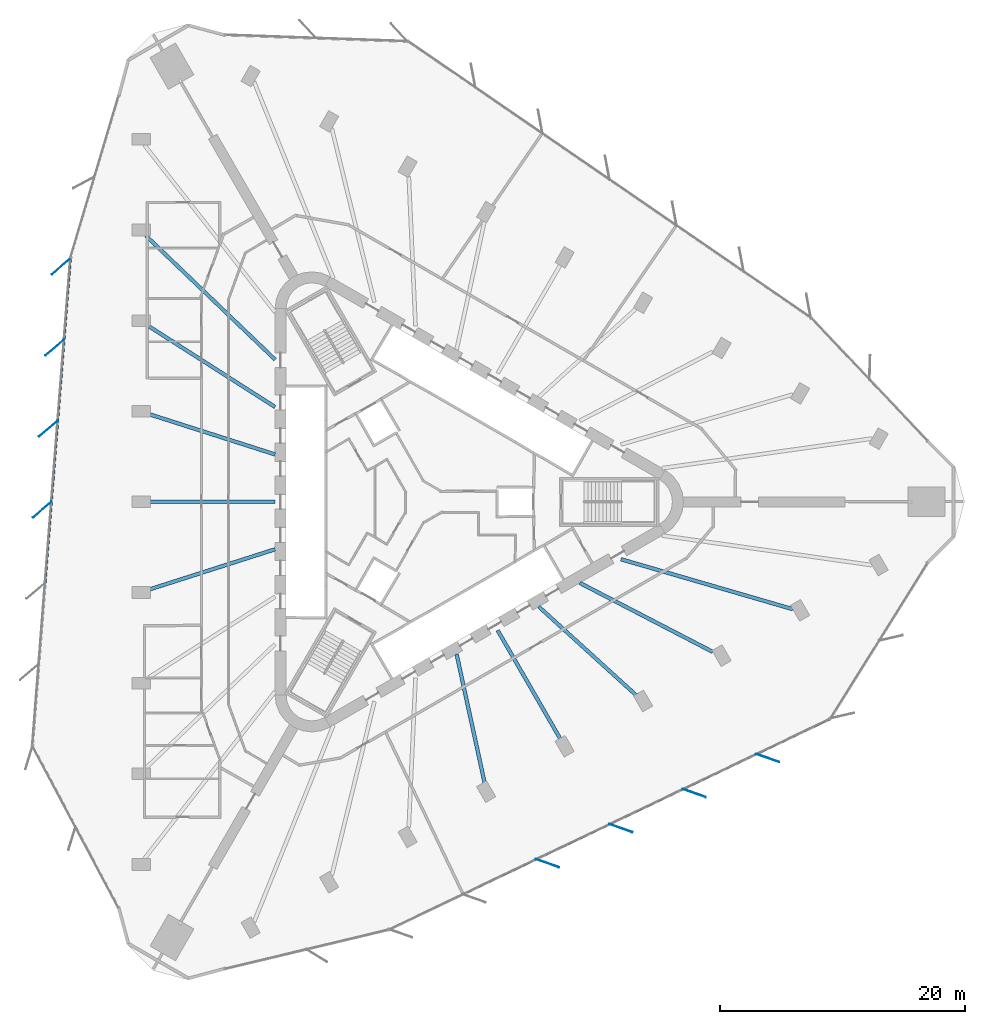
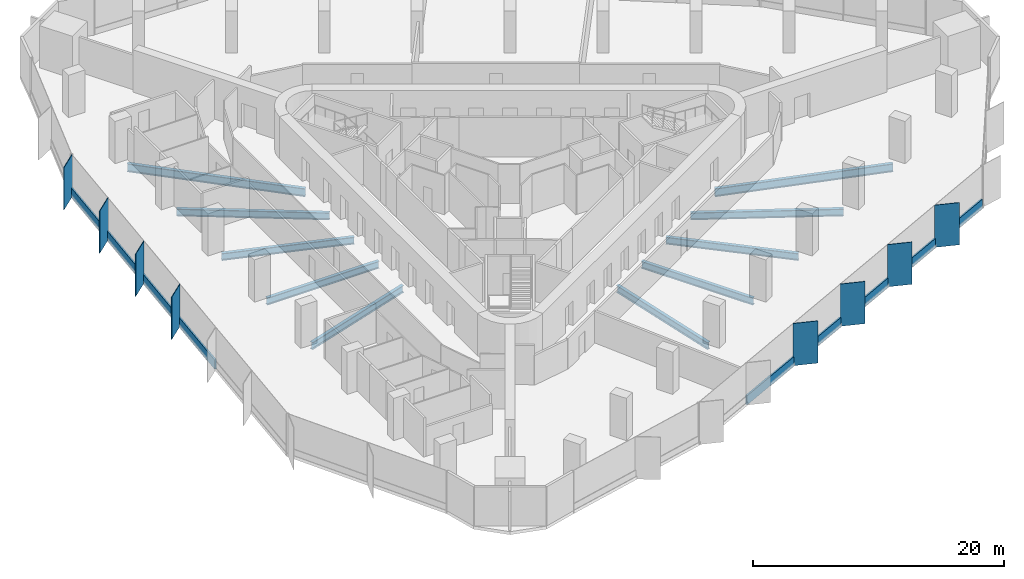
# One storey, part 3 of 15: 17 members, 10 beams, 2 elements without a shape of their own.
"""IFC4 building model written with IfcOpenShell, lengths in metres."""

import ifcopenshell
import ifcopenshell.guid

model = None  # the IFC model being written
_history = None  # IfcOwnerHistory: only IFC2X3 demands one
_inside = {}  # id of a spatial element -> (the spatial element, [elements in it])
_under = {}  # id of a project, library or spatial element -> (it, [spatial elements below it])
_declared = {}  # id of a project -> (the project, [libraries it declares])
_typed = {}  # id of a type object -> (the type object, [elements of that type])
_made_of = {}  # id of a material, layer set ... -> (it, [elements and type objects made of it])


def new_model(schema):
    """Start an empty IFC model of exactly this schema.

    Asked for "IFC4X3", IfcOpenShell would pick the latest addendum, in which some entities
    have other attributes; the version numbers below select the first issue.
    IFC2X3 requires an IfcOwnerHistory on every rooted entity: one is made here for all.
    """
    global model, _history
    if schema == "IFC4X3":
        model = ifcopenshell.file(schema_version=(4, 3, 0, 0))
    else:
        model = ifcopenshell.file(schema=schema)
    _inside.clear()
    _under.clear()
    _declared.clear()
    _typed.clear()
    _made_of.clear()
    _history = None
    if model.schema == "IFC2X3":
        org = make("IfcOrganization", Name="unknown")
        user = make(
            "IfcPersonAndOrganization",
            ThePerson=make("IfcPerson", FamilyName="unknown"),
            TheOrganization=org,
        )
        app = make(
            "IfcApplication",
            ApplicationDeveloper=org,
            Version="unknown",
            ApplicationFullName="unknown",
            ApplicationIdentifier="unknown",
        )
        _history = make(
            "IfcOwnerHistory",
            OwningUser=user,
            OwningApplication=app,
            ChangeAction="ADDED",
            CreationDate=0,
        )
    return model


def make(cls, **values):
    """One entity of the class cls with the attributes given. An attribute that is None is left unset."""
    return model.create_entity(
        cls, **{name: value for name, value in values.items() if value is not None}
    )


def rooted(cls, **values):
    """An entity with a GlobalId (a new one), such as an element, a storey or a relation."""
    return make(cls, GlobalId=ifcopenshell.guid.new(), OwnerHistory=_history, **values)


def si_unit(unit_type, name, prefix=None):
    """IfcSIUnit, for example si_unit("LENGTHUNIT", "METRE", prefix="MILLI")."""
    return make("IfcSIUnit", UnitType=unit_type, Prefix=prefix, Name=name)


def assignment(units):
    """IfcUnitAssignment: the units of a project."""
    return None if units is None else make("IfcUnitAssignment", Units=units)


def point(xyz):
    """IfcCartesianPoint."""
    return None if xyz is None else make("IfcCartesianPoint", Coordinates=xyz)


def direction(xyz):
    """IfcDirection."""
    return None if xyz is None else make("IfcDirection", DirectionRatios=xyz)


def frame(location, z_axis=None, x_axis=None):
    """IfcAxis2Placement3D, a coordinate frame: its origin and axes. An axis left out is left unset."""
    return make(
        "IfcAxis2Placement3D",
        Location=point(location),
        Axis=direction(z_axis),
        RefDirection=direction(x_axis),
    )


def frame_2d(location, x_axis=None):
    """IfcAxis2Placement2D, a coordinate frame in the plane: its origin and x axis."""
    return make(
        "IfcAxis2Placement2D", Location=point(location), RefDirection=direction(x_axis)
    )


def origin():
    """The frame at (0, 0, 0) with its axes left unset."""
    return frame((0.0, 0.0, 0.0))


def origin_2d():
    """The frame at (0, 0) in the plane with its x axis left unset."""
    return frame_2d((0.0, 0.0))


def place(relative_to, where):
    """IfcLocalPlacement: puts the frame where relative to a parent placement (None: the world)."""
    return make(
        "IfcLocalPlacement", PlacementRelTo=relative_to, RelativePlacement=where
    )


def context(
    kind, dimensions, precision=None, world=None, true_north=None, identifier=None
):
    """IfcGeometricRepresentationContext, for example the 3D "Model" context."""
    return make(
        "IfcGeometricRepresentationContext",
        ContextIdentifier=identifier,
        ContextType=kind,
        CoordinateSpaceDimension=dimensions,
        Precision=precision,
        WorldCoordinateSystem=world,
        TrueNorth=true_north,
    )


def subcontext(parent, identifier, kind, view, scale=None):
    """IfcGeometricRepresentationSubContext, for example "Body" below "Model"."""
    return make(
        "IfcGeometricRepresentationSubContext",
        ContextIdentifier=identifier,
        ContextType=kind,
        ParentContext=parent,
        TargetScale=scale,
        TargetView=view,
    )


def project(units=None, contexts=None):
    """IfcProject with its units and contexts."""
    return rooted(
        "IfcProject",
        Name="project",
        RepresentationContexts=contexts,
        UnitsInContext=assignment(units),
    )


def spatial(cls, under=None, at=None, **own):
    """A site, building, storey or space (cls), placed at a placement, below another one or the project."""
    s = rooted(cls, ObjectPlacement=at, **own)
    if under is not None:
        _under.setdefault(under.id(), (under, []))[1].append(s)
    return s


def profile(cls, at=None, kind="AREA", **sizes):
    """A parametric profile (cls). Its sizes go by their IFC names, for example OverallWidth=200.0."""
    return make(cls, ProfileType=kind, Position=at, **sizes)


def rectangle(**sizes):
    """IfcRectangleProfileDef."""
    return profile("IfcRectangleProfileDef", **sizes)


def i_section(**sizes):
    """IfcIShapeProfileDef."""
    return profile("IfcIShapeProfileDef", **sizes)


def extrude(swept, where, along, depth):
    """IfcExtrudedAreaSolid: the profile swept, set in the frame where, extruded along a direction by depth."""
    return make(
        "IfcExtrudedAreaSolid",
        SweptArea=swept,
        Position=where,
        ExtrudedDirection=direction(along),
        Depth=depth,
    )


def shape(context_of_items, identifier, shape_type, items):
    """IfcShapeRepresentation: the items that make up one representation, for example the "Body"."""
    return make(
        "IfcShapeRepresentation",
        ContextOfItems=context_of_items,
        RepresentationIdentifier=identifier,
        RepresentationType=shape_type,
        Items=items,
    )


def material(Name=None, Category=None):
    """IfcMaterial."""
    return make("IfcMaterial", Name=Name, Category=Category)


def material_profile(
    of_material, cross_section, Name=None, Category=None, Priority=None
):
    """IfcMaterialProfile: a cross section and its material."""
    return make(
        "IfcMaterialProfile",
        Name=Name,
        Material=of_material,
        Profile=cross_section,
        Priority=Priority,
        Category=Category,
    )


def profile_set(profiles, Name=None, composite=None):
    """IfcMaterialProfileSet."""
    return make(
        "IfcMaterialProfileSet",
        Name=Name,
        MaterialProfiles=profiles,
        CompositeProfile=composite,
    )


def made_of(thing, what):
    """Note that an element or type object is made of a material, layer set ...; save() writes the relation."""
    if what is not None:
        _made_of.setdefault(what.id(), (what, []))[1].append(thing)
    return thing


def type_object(cls, material=None, **own):
    """A type object (cls), such as IfcWallType, which elements share."""
    return made_of(rooted(cls, **own), material)


def element(
    cls,
    number,
    at=None,
    inside=None,
    cuts=None,
    type_object=None,
    material=None,
    context=None,
    identifier="Body",
    shape_type=None,
    held_by="IfcProductDefinitionShape",
    body=None,
    shapes=None,
    **own,
):
    """One element of the class cls, such as IfcWall. Its Tag is "e" and its number.

    at: its placement. inside: the storey or other place that contains it. cuts: it is an
    opening in that element (IfcRelVoidsElement). A single representation is given by context,
    identifier, shape_type and body (its items); several are given by shapes. held_by: the class
    of the entity that holds the representations. save() writes the other relations.
    """
    e = rooted(cls, Tag="e%d" % number, ObjectPlacement=at, **own)
    if body is not None:
        shapes = [shape(context, identifier, shape_type, body)]
    if shapes is not None:
        e.Representation = make(held_by, Representations=shapes)
    if inside is not None:
        _inside.setdefault(inside.id(), (inside, []))[1].append(e)
    if cuts is not None:
        rooted(
            "IfcRelVoidsElement", RelatingBuildingElement=cuts, RelatedOpeningElement=e
        )
    if type_object is not None:
        _typed.setdefault(type_object.id(), (type_object, []))[1].append(e)
    return made_of(e, material)


def aggregate(whole, parts):
    """IfcRelAggregates: a whole, such as a stair, and the parts it consists of."""
    return rooted("IfcRelAggregates", RelatingObject=whole, RelatedObjects=parts)


def save(model, path):
    """Write the relations noted so far, then the file.

    IfcRelAggregates (storeys below a building ...), IfcRelContainedInSpatialStructure (elements
    in a storey), IfcRelDefinesByType, IfcRelAssociatesMaterial and IfcRelDeclares: one each for
    every whole, place, type object, material and project.
    """
    for whole, parts in _under.values():
        aggregate(whole, parts)
    for where, things in _inside.values():
        rooted(
            "IfcRelContainedInSpatialStructure",
            RelatedElements=things,
            RelatingStructure=where,
        )
    for kind, things in _typed.values():
        rooted("IfcRelDefinesByType", RelatedObjects=things, RelatingType=kind)
    for what, things in _made_of.values():
        rooted("IfcRelAssociatesMaterial", RelatedObjects=things, RelatingMaterial=what)
    for by, libraries in _declared.values():
        rooted("IfcRelDeclares", RelatingContext=by, RelatedDefinitions=libraries)
    model.write(path)


model = new_model("IFC4")

# Units and contexts
model_context = context("Model", 3, precision=1e-05, world=origin(), true_north=direction((0.0, 1.0)))
body_context = subcontext(model_context, "Body", "Model", "MODEL_VIEW")
ifc_project = project(units=[si_unit("LENGTHUNIT", "METRE"), si_unit("AREAUNIT", "SQUARE_METRE"), si_unit("VOLUMEUNIT", "CUBIC_METRE"), si_unit("PLANEANGLEUNIT", "RADIAN"), si_unit("MASSUNIT", "GRAM", prefix="KILO")], contexts=[model_context])

# Site, building, storey
site_placement = place(None, origin())
site = spatial("IfcSite", under=ifc_project, at=site_placement, CompositionType="ELEMENT")
building_placement = place(site_placement, origin())
building = spatial("IfcBuilding", under=site, at=building_placement, Name="Tanit Gate Tower", CompositionType="ELEMENT")
storey_placement = place(building_placement, frame((0.0, 0.0, 94.699951171875)))
storey = spatial("IfcBuildingStorey", under=building, at=storey_placement, Name="L19", CompositionType="ELEMENT", Elevation=94.699951171875)

# Curtain wall, members
ifc_material_1 = material(Name="Aluminium bronze anodised and glass", Category="aluminium")
curtain_wall_type = type_object("IfcCurtainWallType", Name="Curtain wall typical low", PredefinedType="NOTDEFINED", material=ifc_material_1)
curtain_wall_1_placement = place(storey_placement, origin())
curtain_wall_1 = element("IfcCurtainWall", 1, at=curtain_wall_1_placement, inside=storey, type_object=curtain_wall_type, Name="Curtain wall L19 W2", PredefinedType="NOTDEFINED")
ifc_material_2 = material(Name="Aluminium bronze anodised", Category="aluminium")
ifc_material_profile_1 = material_profile(ifc_material_2, rectangle(XDim=2.0, YDim=0.055908203125, at=origin_2d()), Name="56x2000 bronze fin mullion")
ifc_profile_set_1 = profile_set([ifc_material_profile_1], Name="Aluminium bronze anodised")
member_type_1 = type_object("IfcMemberType", Name="FIN MULLION 56x2000 bronze", PredefinedType="MULLION", material=ifc_profile_set_1)
member_1_placement = place(storey_placement, frame((-29.541259765625, 19.20703125, -0.300048828125), z_axis=(0.0, 0.0, 1.0), x_axis=(0.760001580735, 0.649921223903, 0.0)))
member_1 = element("IfcMember", 2, at=member_1_placement, type_object=member_type_1, Name="Fin mullion L19 W2.1", PredefinedType="MULLION", context=body_context, shape_type="SweptSolid", body=[
    extrude(rectangle(XDim=2.0, YDim=0.055908203125, at=origin_2d()), origin(), (0.0, 0.0, 1.0), 4.10009765625),
])
member_2_placement = place(storey_placement, frame((-30.0576171875, 12.593505859375, -0.300048828125), z_axis=(0.0, 0.0, 1.0), x_axis=(0.760001580735, 0.649921223903, 0.0)))
member_2 = element("IfcMember", 3, at=member_2_placement, type_object=member_type_1, Name="Fin mullion L19 W2.2", PredefinedType="MULLION", context=body_context, shape_type="SweptSolid", body=[
    extrude(rectangle(XDim=2.0, YDim=0.055908203125, at=origin_2d()), origin(), (0.0, 0.0, 1.0), 4.10009765625),
])
member_3_placement = place(storey_placement, frame((-30.573974609375, 5.97998046875, -0.300048828125), z_axis=(0.0, 0.0, 1.0), x_axis=(0.760001580735, 0.649921223903, 0.0)))
member_3 = element("IfcMember", 4, at=member_3_placement, type_object=member_type_1, Name="Fin mullion L19 W2.3", PredefinedType="MULLION", context=body_context, shape_type="SweptSolid", body=[
    extrude(rectangle(XDim=2.0, YDim=0.055908203125, at=origin_2d()), origin(), (0.0, 0.0, 1.0), 4.10009765625),
])
member_4_placement = place(storey_placement, frame((-31.09033203125, -0.633544921875, -0.300048828125), z_axis=(0.0, 0.0, 1.0), x_axis=(0.760001580735, 0.649921223903, 0.0)))
member_4 = element("IfcMember", 5, at=member_4_placement, type_object=member_type_1, Name="Fin mullion L19 W2.4", PredefinedType="MULLION", context=body_context, shape_type="SweptSolid", body=[
    extrude(rectangle(XDim=2.0, YDim=0.055908203125, at=origin_2d()), origin(), (0.0, 0.0, 1.0), 4.10009765625),
])

curtain_wall_2_placement = place(storey_placement, origin())
curtain_wall_2 = element("IfcCurtainWall", 6, at=curtain_wall_2_placement, inside=storey, type_object=curtain_wall_type, Name="Curtain wall L19 SE2", PredefinedType="NOTDEFINED")
member_5_placement = place(storey_placement, frame((10.108154296875, -29.4677734375, -0.300048828125), z_axis=(0.0, 0.0, 1.0), x_axis=(-0.942849080727, 0.333220063881, 0.0)))
member_5 = element("IfcMember", 7, at=member_5_placement, type_object=member_type_1, Name="Fin mullion L19 SE2.3", PredefinedType="MULLION", context=body_context, shape_type="SweptSolid", body=[
    extrude(rectangle(XDim=2.0, YDim=0.055908203125, at=origin_2d()), origin(), (0.0, 0.0, 1.0), 4.10009765625),
])
member_6_placement = place(storey_placement, frame((16.09375, -26.608154296875, -0.300048828125), z_axis=(0.0, 0.0, 1.0), x_axis=(-0.942849080727, 0.333220063881, 0.0)))
member_6 = element("IfcMember", 8, at=member_6_placement, type_object=member_type_1, Name="Fin mullion L19 SE2.4", PredefinedType="MULLION", context=body_context, shape_type="SweptSolid", body=[
    extrude(rectangle(XDim=2.0, YDim=0.055908203125, at=origin_2d()), origin(), (0.0, 0.0, 1.0), 4.10009765625),
])
member_7_placement = place(storey_placement, frame((22.079345703125, -23.74853515625, -0.300048828125), z_axis=(0.0, 0.0, 1.0), x_axis=(-0.942849080727, 0.333220063881, 0.0)))
member_7 = element("IfcMember", 9, at=member_7_placement, type_object=member_type_1, Name="Fin mullion L19 SE2.5", PredefinedType="MULLION", context=body_context, shape_type="SweptSolid", body=[
    extrude(rectangle(XDim=2.0, YDim=0.055908203125, at=origin_2d()), origin(), (0.0, 0.0, 1.0), 4.10009765625),
])
member_8_placement = place(storey_placement, frame((28.06494140625, -20.888916015625, -0.300048828125), z_axis=(0.0, 0.0, 1.0), x_axis=(-0.942849080727, 0.333220063881, 0.0)))
member_8 = element("IfcMember", 10, at=member_8_placement, type_object=member_type_1, Name="Fin mullion L19 SE2.6", PredefinedType="MULLION", context=body_context, shape_type="SweptSolid", body=[
    extrude(rectangle(XDim=2.0, YDim=0.055908203125, at=origin_2d()), origin(), (0.0, 0.0, 1.0), 4.10009765625),
])

# Beams
ifc_material_3 = material(Name="Steel S355", Category="steel")
ifc_material_profile_2 = material_profile(ifc_material_3, i_section(OverallWidth=0.300048828125, OverallDepth=0.68994140625, WebThickness=0.014404296875, FlangeThickness=0.027099609375, FilletRadius=0.027099609375, at=origin_2d()), Name="HEA 700")
ifc_profile_set_2 = profile_set([ifc_material_profile_2], Name="Steel S355")
beam_type_1 = type_object("IfcBeamType", Name="RADIAL GIRDER HEA 700 S355", PredefinedType="BEAM", material=ifc_profile_set_2)
for number, where, z_axis, x_axis, name in (
    (11, (-22.376708984375, -7.151611328125, -0.64501953125), (0.952537085723, 0.304422568682, 0.0), (-0.304422568682, 0.952537085723, 0.0), "RADIAL GIRDER"),
    (12, (4.994873046875, -22.95458984375, -0.64501953125), (-0.212619451543, 0.977135082179, 0.0), (-0.977135082179, -0.212619451543, 0.0), "RADIAL GIRDER"),
):
    element("IfcBeam", number, at=place(storey_placement, frame(where, z_axis=z_axis, x_axis=x_axis)), inside=storey, type_object=beam_type_1, Name=name, PredefinedType="BEAM", context=body_context, shape_type="SweptSolid", body=[
        extrude(i_section(OverallWidth=0.300048828125, OverallDepth=0.68994140625, WebThickness=0.014404296875, FlangeThickness=0.027099609375, FilletRadius=0.027099609375, at=origin_2d()), origin(), (0.0, 0.0, 1.0), 10.78662109375),
    ])
beam_1_placement = place(storey_placement, frame((11.1884765625, -19.37890625, -0.64501953125), z_axis=(-0.500005608904, 0.866022165458, 0.0), x_axis=(-0.866022165458, -0.500005608904, 0.0)))
element("IfcBeam", 13, at=beam_1_placement, inside=storey, type_object=beam_type_1, Name="RADIAL GIRDER", PredefinedType="BEAM", context=body_context, shape_type="SweptSolid", body=[
    extrude(i_section(OverallWidth=0.300048828125, OverallDepth=0.68994140625, WebThickness=0.014404296875, FlangeThickness=0.027099609375, FilletRadius=0.027099609375, at=origin_2d()), origin(), (0.0, 0.0, 1.0), 10.27490234375),
])
beam_2_placement = place(storey_placement, frame((17.382080078125, -15.802978515625, -0.64501953125), z_axis=(-0.739917542408, 0.67269757725, 0.0), x_axis=(-0.67269757725, -0.739917542408, 0.0)))
element("IfcBeam", 14, at=beam_2_placement, inside=storey, type_object=beam_type_1, Name="RADIAL GIRDER", PredefinedType="BEAM", context=body_context, shape_type="SweptSolid", body=[
    extrude(i_section(OverallWidth=0.300048828125, OverallDepth=0.68994140625, WebThickness=0.014404296875, FlangeThickness=0.027099609375, FilletRadius=0.027099609375, at=origin_2d()), origin(), (0.0, 0.0, 1.0), 10.786865234375),
])
beam_3_placement = place(storey_placement, frame((23.5830078125, -12.23095703125, -0.64501953125), z_axis=(-0.887710923004, 0.460401256709, 0.0), x_axis=(-0.460401256709, -0.887710923004, 0.0)))
element("IfcBeam", 15, at=beam_3_placement, inside=storey, type_object=beam_type_1, Name="RADIAL GIRDER", PredefinedType="BEAM", context=body_context, shape_type="SweptSolid", body=[
    extrude(i_section(OverallWidth=0.300048828125, OverallDepth=0.68994140625, WebThickness=0.014404296875, FlangeThickness=0.027099609375, FilletRadius=0.027099609375, at=origin_2d()), origin(), (0.0, 0.0, 1.0), 12.20263671875),
])
beam_4_placement = place(storey_placement, frame((-22.3837890625, 14.307861328125, -0.64501953125), z_axis=(0.842570670287, -0.538585801494, 0.0), x_axis=(0.538585801494, 0.842570670287, 0.0)))
element("IfcBeam", 16, at=beam_4_placement, inside=storey, type_object=beam_type_1, Name="RADIAL GIRDER", PredefinedType="BEAM", context=body_context, shape_type="SweptSolid", body=[
    extrude(i_section(OverallWidth=0.300048828125, OverallDepth=0.68994140625, WebThickness=0.014404296875, FlangeThickness=0.027099609375, FilletRadius=0.027099609375, at=origin_2d()), origin(), (0.0, 0.0, 1.0), 12.202880859375),
])
beam_5_placement = place(storey_placement, frame((-22.376708984375, 7.151611328125, -0.64501953125), z_axis=(0.952537085723, -0.304422568682, 0.0), x_axis=(0.304422568682, 0.952537085723, 0.0)))
element("IfcBeam", 17, at=beam_5_placement, inside=storey, type_object=beam_type_1, Name="RADIAL GIRDER", PredefinedType="BEAM", context=body_context, shape_type="SweptSolid", body=[
    extrude(i_section(OverallWidth=0.300048828125, OverallDepth=0.68994140625, WebThickness=0.014404296875, FlangeThickness=0.027099609375, FilletRadius=0.027099609375, at=origin_2d()), origin(), (0.0, 0.0, 1.0), 10.78662109375),
])
beam_6_placement = place(storey_placement, frame((-22.376708984375, 0.0, -0.64501953125), z_axis=(1.0, 0.0, 0.0), x_axis=(0.0, 1.0, 0.0)))
element("IfcBeam", 18, at=beam_6_placement, inside=storey, type_object=beam_type_1, Name="RADIAL GIRDER", PredefinedType="BEAM", context=body_context, shape_type="SweptSolid", body=[
    extrude(i_section(OverallWidth=0.300048828125, OverallDepth=0.68994140625, WebThickness=0.014404296875, FlangeThickness=0.027099609375, FilletRadius=0.027099609375, at=origin_2d()), origin(), (0.0, 0.0, 1.0), 10.274658203125),
])
ifc_material_4 = material(Name="Steel S355", Category="steel")
ifc_material_profile_3 = material_profile(ifc_material_4, i_section(OverallWidth=0.300048828125, OverallDepth=0.7900390625, WebThickness=0.014892578125, FlangeThickness=0.028076171875, FilletRadius=0.030029296875, at=origin_2d()), Name="HEA 800")
ifc_profile_set_3 = profile_set([ifc_material_profile_3], Name="Steel S355")
beam_type_2 = type_object("IfcBeamType", Name="RADIAL GIRDER HEA 800 S355", PredefinedType="BEAM", material=ifc_profile_set_3)
for number, where, z_axis, x_axis, name in (
    (19, (30.10791015625, -8.749755859375, -0.695068359375), (-0.960267984026, 0.279079556498, 0.0), (-0.279079556498, -0.960267984026, 0.0), "RADIAL GIRDER"),
    (20, (-22.63134765625, 21.69921875, -0.695068359375), (0.721812607452, -0.692088549048, 0.0), (0.692088549048, 0.721812607452, 0.0), "RADIAL GIRDER"),
):
    element("IfcBeam", number, at=place(storey_placement, frame(where, z_axis=z_axis, x_axis=x_axis)), inside=storey, type_object=beam_type_2, Name=name, PredefinedType="BEAM", context=body_context, shape_type="SweptSolid", body=[
        extrude(i_section(OverallWidth=0.300048828125, OverallDepth=0.7900390625, WebThickness=0.014892578125, FlangeThickness=0.028076171875, FilletRadius=0.030029296875, at=origin_2d()), origin(), (0.0, 0.0, 1.0), 14.58740234375),
    ])

# Member
ifc_material_5 = material(Name="Aluminium bronze anodised", Category="aluminium")
ifc_material_profile_4 = material_profile(ifc_material_5, rectangle(XDim=0.159912109375, YDim=0.89990234375, at=origin_2d()), Name="160x900 bronze transom")
ifc_profile_set_4 = profile_set([ifc_material_profile_4], Name="Aluminium bronze anodised")
member_type_2 = type_object("IfcMemberType", Name="Transom 160x900 typical low", PredefinedType="USERDEFINED", material=ifc_profile_set_4)
member_9_placement = place(storey_placement, frame((-28.801513671875, 19.802490234375, 0.150146484375), z_axis=(-0.077821712604, -0.996967291864, 0.0), x_axis=(0.996967291864, -0.077821712604, 0.0)))
member_9 = element("IfcMember", 21, at=member_9_placement, type_object=member_type_2, Name="Transom L19 W2.1", ObjectType="TRANSOM", PredefinedType="USERDEFINED", context=body_context, shape_type="SweptSolid", body=[
    extrude(rectangle(XDim=0.159912109375, YDim=0.89990234375, at=origin_2d()), origin(), (0.0, 0.0, 1.0), 6.553466796875),
])

member_10_placement = place(storey_placement, frame((-29.31787109375, 13.18896484375, 0.150146484375), z_axis=(-0.077818822403, -0.996967517465, 0.0), x_axis=(0.996967517465, -0.077818822403, 0.0)))
member_10 = element("IfcMember", 22, at=member_10_placement, type_object=member_type_2, Name="Transom L19 W2.2", ObjectType="TRANSOM", PredefinedType="USERDEFINED", context=body_context, shape_type="SweptSolid", body=[
    extrude(rectangle(XDim=0.159912109375, YDim=0.89990234375, at=origin_2d()), origin(), (0.0, 0.0, 1.0), 6.5537109375),
])

member_11_placement = place(storey_placement, frame((-29.834228515625, 6.575439453125, 0.150146484375), z_axis=(-0.077821712604, -0.996967291864, 0.0), x_axis=(0.996967291864, -0.077821712604, 0.0)))
member_11 = element("IfcMember", 23, at=member_11_placement, type_object=member_type_2, Name="Transom L19 W2.3", ObjectType="TRANSOM", PredefinedType="USERDEFINED", context=body_context, shape_type="SweptSolid", body=[
    extrude(rectangle(XDim=0.159912109375, YDim=0.89990234375, at=origin_2d()), origin(), (0.0, 0.0, 1.0), 6.553466796875),
])

member_12_placement = place(storey_placement, frame((-30.3505859375, -0.0380859375, 0.150146484375), z_axis=(-0.077818822403, -0.996967517465, 0.0), x_axis=(0.996967517465, -0.077818822403, 0.0)))
member_12 = element("IfcMember", 24, at=member_12_placement, type_object=member_type_2, Name="Transom L19 W2.4", ObjectType="TRANSOM", PredefinedType="USERDEFINED", context=body_context, shape_type="SweptSolid", body=[
    extrude(rectangle(XDim=0.159912109375, YDim=0.89990234375, at=origin_2d()), origin(), (0.0, 0.0, 1.0), 6.5537109375),
])

aggregate(curtain_wall_1, [member_1, member_2, member_3, member_4, member_9, member_10, member_11, member_12])

member_13_placement = place(storey_placement, frame((3.237060546875, -31.984375, 0.150146484375), z_axis=(0.902322009414, 0.4310626304, 0.0), x_axis=(-0.4310626304, 0.902322009414, 0.0)))
member_13 = element("IfcMember", 25, at=member_13_placement, type_object=member_type_2, Name="Transom L19 SE2.2", ObjectType="TRANSOM", PredefinedType="USERDEFINED", context=body_context, shape_type="SweptSolid", body=[
    extrude(rectangle(XDim=0.159912109375, YDim=0.89990234375, at=origin_2d()), origin(), (0.0, 0.0, 1.0), 6.553466796875),
])

member_14_placement = place(storey_placement, frame((9.22265625, -29.124755859375, 0.150146484375), z_axis=(0.902322009414, 0.4310626304, 0.0), x_axis=(-0.4310626304, 0.902322009414, 0.0)))
member_14 = element("IfcMember", 26, at=member_14_placement, type_object=member_type_2, Name="Transom L19 SE2.3", ObjectType="TRANSOM", PredefinedType="USERDEFINED", context=body_context, shape_type="SweptSolid", body=[
    extrude(rectangle(XDim=0.159912109375, YDim=0.89990234375, at=origin_2d()), origin(), (0.0, 0.0, 1.0), 6.553466796875),
])

member_15_placement = place(storey_placement, frame((15.208251953125, -26.265380859375, 0.150146484375), z_axis=(0.902314441847, 0.431078470855, 0.0), x_axis=(-0.431078470855, 0.902314441847, 0.0)))
member_15 = element("IfcMember", 27, at=member_15_placement, type_object=member_type_2, Name="Transom L19 SE2.4", ObjectType="TRANSOM", PredefinedType="USERDEFINED", context=body_context, shape_type="SweptSolid", body=[
    extrude(rectangle(XDim=0.159912109375, YDim=0.89990234375, at=origin_2d()), origin(), (0.0, 0.0, 1.0), 6.5537109375),
])

member_16_placement = place(storey_placement, frame((21.194091796875, -23.40576171875, 0.150146484375), z_axis=(0.902307519036, 0.431092961079, 0.0), x_axis=(-0.431092961079, 0.902307519036, 0.0)))
member_16 = element("IfcMember", 28, at=member_16_placement, type_object=member_type_2, Name="Transom L19 SE2.5", ObjectType="TRANSOM", PredefinedType="USERDEFINED", context=body_context, shape_type="SweptSolid", body=[
    extrude(rectangle(XDim=0.159912109375, YDim=0.89990234375, at=origin_2d()), origin(), (0.0, 0.0, 1.0), 6.553466796875),
])

member_17_placement = place(storey_placement, frame((27.1796875, -20.546142578125, 0.150146484375), z_axis=(0.902307519036, 0.431092961079, 0.0), x_axis=(-0.431092961079, 0.902307519036, 0.0)))
member_17 = element("IfcMember", 29, at=member_17_placement, type_object=member_type_2, Name="Transom L19 SE2.6", ObjectType="TRANSOM", PredefinedType="USERDEFINED", context=body_context, shape_type="SweptSolid", body=[
    extrude(rectangle(XDim=0.159912109375, YDim=0.89990234375, at=origin_2d()), origin(), (0.0, 0.0, 1.0), 6.553466796875),
])

aggregate(curtain_wall_2, [member_5, member_6, member_7, member_8, member_13, member_14, member_15, member_16, member_17])

save(model, "model.ifc")
